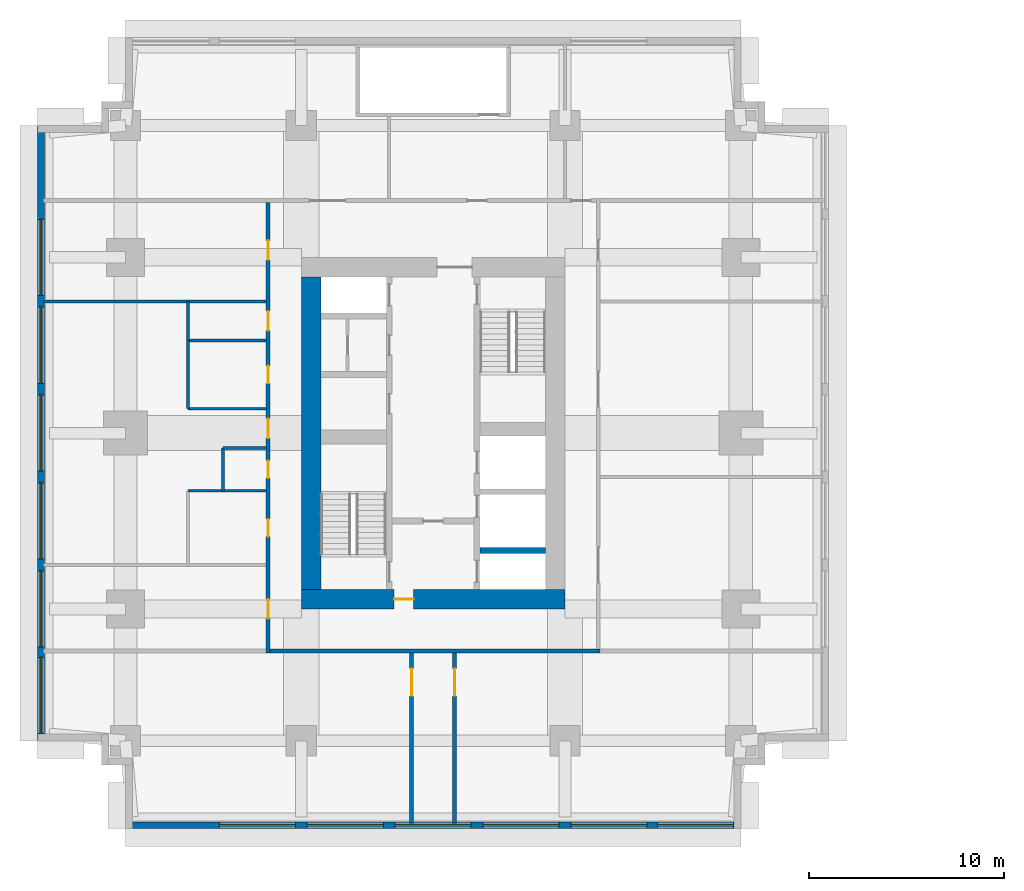
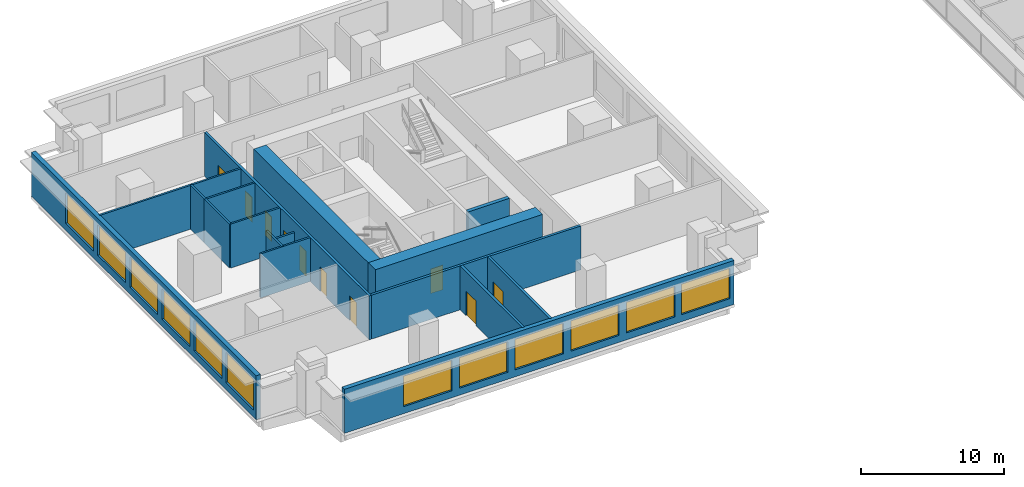
# One storey, part 7 of 14: 17 walls, 12 windows, 10 doors, 22 openings.
"""IFC4 building model written with IfcOpenShell, lengths in metres."""

import ifcopenshell
import ifcopenshell.guid

model = None  # the IFC model being written
_history = None  # IfcOwnerHistory: only IFC2X3 demands one
_inside = {}  # id of a spatial element -> (the spatial element, [elements in it])
_under = {}  # id of a project, library or spatial element -> (it, [spatial elements below it])
_declared = {}  # id of a project -> (the project, [libraries it declares])
_typed = {}  # id of a type object -> (the type object, [elements of that type])
_made_of = {}  # id of a material, layer set ... -> (it, [elements and type objects made of it])


def new_model(schema):
    """Start an empty IFC model of exactly this schema.

    Asked for "IFC4X3", IfcOpenShell would pick the latest addendum, in which some entities
    have other attributes; the version numbers below select the first issue.
    IFC2X3 requires an IfcOwnerHistory on every rooted entity: one is made here for all.
    """
    global model, _history
    if schema == "IFC4X3":
        model = ifcopenshell.file(schema_version=(4, 3, 0, 0))
    else:
        model = ifcopenshell.file(schema=schema)
    _inside.clear()
    _under.clear()
    _declared.clear()
    _typed.clear()
    _made_of.clear()
    _history = None
    if model.schema == "IFC2X3":
        org = make("IfcOrganization", Name="unknown")
        user = make(
            "IfcPersonAndOrganization",
            ThePerson=make("IfcPerson", FamilyName="unknown"),
            TheOrganization=org,
        )
        app = make(
            "IfcApplication",
            ApplicationDeveloper=org,
            Version="unknown",
            ApplicationFullName="unknown",
            ApplicationIdentifier="unknown",
        )
        _history = make(
            "IfcOwnerHistory",
            OwningUser=user,
            OwningApplication=app,
            ChangeAction="ADDED",
            CreationDate=0,
        )
    return model


def make(cls, **values):
    """One entity of the class cls with the attributes given. An attribute that is None is left unset."""
    return model.create_entity(
        cls, **{name: value for name, value in values.items() if value is not None}
    )


def rooted(cls, **values):
    """An entity with a GlobalId (a new one), such as an element, a storey or a relation."""
    return make(cls, GlobalId=ifcopenshell.guid.new(), OwnerHistory=_history, **values)


def si_unit(unit_type, name, prefix=None):
    """IfcSIUnit, for example si_unit("LENGTHUNIT", "METRE", prefix="MILLI")."""
    return make("IfcSIUnit", UnitType=unit_type, Prefix=prefix, Name=name)


def assignment(units):
    """IfcUnitAssignment: the units of a project."""
    return None if units is None else make("IfcUnitAssignment", Units=units)


def point(xyz):
    """IfcCartesianPoint."""
    return None if xyz is None else make("IfcCartesianPoint", Coordinates=xyz)


def direction(xyz):
    """IfcDirection."""
    return None if xyz is None else make("IfcDirection", DirectionRatios=xyz)


def frame(location, z_axis=None, x_axis=None):
    """IfcAxis2Placement3D, a coordinate frame: its origin and axes. An axis left out is left unset."""
    return make(
        "IfcAxis2Placement3D",
        Location=point(location),
        Axis=direction(z_axis),
        RefDirection=direction(x_axis),
    )


def frame_2d(location, x_axis=None):
    """IfcAxis2Placement2D, a coordinate frame in the plane: its origin and x axis."""
    return make(
        "IfcAxis2Placement2D", Location=point(location), RefDirection=direction(x_axis)
    )


def origin():
    """The frame at (0, 0, 0) with its axes left unset."""
    return frame((0.0, 0.0, 0.0))


def place(relative_to, where):
    """IfcLocalPlacement: puts the frame where relative to a parent placement (None: the world)."""
    return make(
        "IfcLocalPlacement", PlacementRelTo=relative_to, RelativePlacement=where
    )


def context(
    kind, dimensions, precision=None, world=None, true_north=None, identifier=None
):
    """IfcGeometricRepresentationContext, for example the 3D "Model" context."""
    return make(
        "IfcGeometricRepresentationContext",
        ContextIdentifier=identifier,
        ContextType=kind,
        CoordinateSpaceDimension=dimensions,
        Precision=precision,
        WorldCoordinateSystem=world,
        TrueNorth=true_north,
    )


def subcontext(parent, identifier, kind, view, scale=None):
    """IfcGeometricRepresentationSubContext, for example "Body" below "Model"."""
    return make(
        "IfcGeometricRepresentationSubContext",
        ContextIdentifier=identifier,
        ContextType=kind,
        ParentContext=parent,
        TargetScale=scale,
        TargetView=view,
    )


def project(units=None, contexts=None):
    """IfcProject with its units and contexts."""
    return rooted(
        "IfcProject",
        Name="project",
        RepresentationContexts=contexts,
        UnitsInContext=assignment(units),
    )


def spatial(cls, under=None, at=None, **own):
    """A site, building, storey or space (cls), placed at a placement, below another one or the project."""
    s = rooted(cls, ObjectPlacement=at, **own)
    if under is not None:
        _under.setdefault(under.id(), (under, []))[1].append(s)
    return s


def profile(cls, at=None, kind="AREA", **sizes):
    """A parametric profile (cls). Its sizes go by their IFC names, for example OverallWidth=200.0."""
    return make(cls, ProfileType=kind, Position=at, **sizes)


def rectangle(**sizes):
    """IfcRectangleProfileDef."""
    return profile("IfcRectangleProfileDef", **sizes)


def extrude(swept, where, along, depth):
    """IfcExtrudedAreaSolid: the profile swept, set in the frame where, extruded along a direction by depth."""
    return make(
        "IfcExtrudedAreaSolid",
        SweptArea=swept,
        Position=where,
        ExtrudedDirection=direction(along),
        Depth=depth,
    )


def shape(context_of_items, identifier, shape_type, items):
    """IfcShapeRepresentation: the items that make up one representation, for example the "Body"."""
    return make(
        "IfcShapeRepresentation",
        ContextOfItems=context_of_items,
        RepresentationIdentifier=identifier,
        RepresentationType=shape_type,
        Items=items,
    )


def material(Name=None, Category=None):
    """IfcMaterial."""
    return make("IfcMaterial", Name=Name, Category=Category)


def layer(
    of_material, thickness, ventilated=None, Name=None, Category=None, Priority=None
):
    """IfcMaterialLayer: one layer of a wall or slab, of a material (None: an air gap)."""
    return make(
        "IfcMaterialLayer",
        Material=of_material,
        LayerThickness=thickness,
        IsVentilated=ventilated,
        Name=Name,
        Category=Category,
        Priority=Priority,
    )


def layer_set(layers, Name=None):
    """IfcMaterialLayerSet."""
    return make("IfcMaterialLayerSet", MaterialLayers=layers, LayerSetName=Name)


def made_of(thing, what):
    """Note that an element or type object is made of a material, layer set ...; save() writes the relation."""
    if what is not None:
        _made_of.setdefault(what.id(), (what, []))[1].append(thing)
    return thing


def type_object(cls, material=None, **own):
    """A type object (cls), such as IfcWallType, which elements share."""
    return made_of(rooted(cls, **own), material)


def element(
    cls,
    number,
    at=None,
    inside=None,
    cuts=None,
    type_object=None,
    material=None,
    context=None,
    identifier="Body",
    shape_type=None,
    held_by="IfcProductDefinitionShape",
    body=None,
    shapes=None,
    **own,
):
    """One element of the class cls, such as IfcWall. Its Tag is "e" and its number.

    at: its placement. inside: the storey or other place that contains it. cuts: it is an
    opening in that element (IfcRelVoidsElement). A single representation is given by context,
    identifier, shape_type and body (its items); several are given by shapes. held_by: the class
    of the entity that holds the representations. save() writes the other relations.
    """
    e = rooted(cls, Tag="e%d" % number, ObjectPlacement=at, **own)
    if body is not None:
        shapes = [shape(context, identifier, shape_type, body)]
    if shapes is not None:
        e.Representation = make(held_by, Representations=shapes)
    if inside is not None:
        _inside.setdefault(inside.id(), (inside, []))[1].append(e)
    if cuts is not None:
        rooted(
            "IfcRelVoidsElement", RelatingBuildingElement=cuts, RelatedOpeningElement=e
        )
    if type_object is not None:
        _typed.setdefault(type_object.id(), (type_object, []))[1].append(e)
    return made_of(e, material)


def fill(opening, filler):
    """IfcRelFillsElement: the door or window that sits in an opening."""
    return rooted(
        "IfcRelFillsElement",
        RelatingOpeningElement=opening,
        RelatedBuildingElement=filler,
    )


def aggregate(whole, parts):
    """IfcRelAggregates: a whole, such as a stair, and the parts it consists of."""
    return rooted("IfcRelAggregates", RelatingObject=whole, RelatedObjects=parts)


def save(model, path):
    """Write the relations noted so far, then the file.

    IfcRelAggregates (storeys below a building ...), IfcRelContainedInSpatialStructure (elements
    in a storey), IfcRelDefinesByType, IfcRelAssociatesMaterial and IfcRelDeclares: one each for
    every whole, place, type object, material and project.
    """
    for whole, parts in _under.values():
        aggregate(whole, parts)
    for where, things in _inside.values():
        rooted(
            "IfcRelContainedInSpatialStructure",
            RelatedElements=things,
            RelatingStructure=where,
        )
    for kind, things in _typed.values():
        rooted("IfcRelDefinesByType", RelatedObjects=things, RelatingType=kind)
    for what, things in _made_of.values():
        rooted("IfcRelAssociatesMaterial", RelatedObjects=things, RelatingMaterial=what)
    for by, libraries in _declared.values():
        rooted("IfcRelDeclares", RelatingContext=by, RelatedDefinitions=libraries)
    model.write(path)


model = new_model("IFC4")

# Units and contexts
model_context = context("Model", 3, precision=1e-05, world=origin(), true_north=direction((0.0, 1.0)))
body_context = subcontext(model_context, "Body", "Model", "MODEL_VIEW")
ifc_project = project(units=[si_unit("LENGTHUNIT", "METRE"), si_unit("AREAUNIT", "SQUARE_METRE"), si_unit("VOLUMEUNIT", "CUBIC_METRE"), si_unit("PLANEANGLEUNIT", "RADIAN"), si_unit("MASSUNIT", "GRAM", prefix="KILO")], contexts=[model_context])

# Site, building, storey
site_placement = place(None, origin())
site = spatial("IfcSite", under=ifc_project, at=site_placement, CompositionType="ELEMENT")
building_placement = place(site_placement, origin())
building = spatial("IfcBuilding", under=site, at=building_placement, Name="Namib Vertical Campus", CompositionType="ELEMENT")
storey_placement = place(building_placement, frame((0.0, 0.0, 233.0)))
storey = spatial("IfcBuildingStorey", under=building, at=storey_placement, Name="L55", CompositionType="ELEMENT", Elevation=233.0)

# Wall
ifc_material_1 = material(Name="Concrete C60/75", Category="concrete")
ifc_layer_1 = layer(ifc_material_1, 0.300048828125)
ifc_layer_set_1 = layer_set([ifc_layer_1], Name="Concrete C60/75")
wall_type_1 = type_object("IfcWallType", Name="Core inner wall 300", PredefinedType="SHEAR", material=ifc_layer_set_1)
wall_1_placement = place(storey_placement, frame((22.64990234375, 14.25, 0.0), z_axis=(0.0, 0.0, 1.0), x_axis=(1.0, 0.0, 0.0)))
element("IfcWall", 1, at=wall_1_placement, inside=storey, type_object=wall_type_1, Name="Core inner wall A L55 W5", PredefinedType="SHEAR", context=body_context, shape_type="SweptSolid", body=[
    extrude(rectangle(XDim=3.35009765625, YDim=0.300048828125, at=frame_2d((1.675048828125, 0.0))), origin(), (0.0, 0.0, 1.0), 4.0),
])

# Wall, opening, door
ifc_material_2 = material(Name="Concrete C60/75", Category="concrete")
ifc_layer_2 = layer(ifc_material_2, 1.0)
ifc_layer_set_2 = layer_set([ifc_layer_2], Name="Concrete C60/75")
wall_type_2 = type_object("IfcWallType", Name="Core wall 1000", PredefinedType="SHEAR", material=ifc_layer_set_2)
wall_2_placement = place(storey_placement, frame((13.5, 11.75, 0.0), z_axis=(0.0, 0.0, 1.0), x_axis=(1.0, 0.0, 0.0)))
wall_2 = element("IfcWall", 2, at=wall_2_placement, inside=storey, type_object=wall_type_2, Name="Core wall A L55 1", PredefinedType="SHEAR", context=body_context, shape_type="SweptSolid", body=[
    extrude(rectangle(XDim=13.5, YDim=1.0, at=frame_2d((6.75, 0.0))), origin(), (0.0, 0.0, 1.0), 4.0),
])
opening_1_placement = place(wall_2_placement, frame((4.75, 0.0, 0.0)))
opening_1 = element("IfcOpeningElement", 3, at=opening_1_placement, cuts=wall_2, Name="Opening FD5", PredefinedType="OPENING", context=body_context, shape_type="SweptSolid", body=[
    extrude(rectangle(XDim=1.0, YDim=2.10009765625, at=frame_2d((0.5, 1.050048828125))), frame((0.0, 0.510009765625, 0.0), z_axis=(0.0, -1.0, 0.0), x_axis=(1.0, 0.0, 0.0)), (0.0, 0.0, 1.0), 1.02001953125),
])
ifc_material_3 = material(Name="Steel fire door", Category="steel")
door_type_1 = type_object("IfcDoorType", Name="Fire door 1000x2100 120 min", OperationType="SINGLE_SWING_RIGHT", PredefinedType="DOOR", material=ifc_material_3)
door_1_placement = place(opening_1_placement, origin())
door_1 = element("IfcDoor", 4, at=door_1_placement, inside=storey, type_object=door_type_1, Name="Firefighting lobby door FD5 A L55", OperationType="SINGLE_SWING_LEFT", OverallHeight=2.10009765625, OverallWidth=1.0, PredefinedType="DOOR", context=body_context, shape_type="SweptSolid", body=[
    extrude(rectangle(XDim=1.0, YDim=2.10009765625, at=frame_2d((0.5, 1.050048828125))), frame((0.0, 0.02490234375, 0.0), z_axis=(0.0, -1.0, 0.0), x_axis=(1.0, 0.0, 0.0)), (0.0, 0.0, 1.0), 0.050048828125),
])
fill(opening_1, door_1)

# Walls
wall_3_placement = place(storey_placement, frame((14.0, 28.25, 0.0), z_axis=(0.0, 0.0, 1.0), x_axis=(0.0, -1.0, 0.0)))
element("IfcWall", 5, at=wall_3_placement, inside=storey, type_object=wall_type_2, Name="Core wall A L55 4", PredefinedType="SHEAR", context=body_context, shape_type="SweptSolid", body=[
    extrude(rectangle(XDim=16.0, YDim=1.0, at=frame_2d((8.0, 0.0))), origin(), (0.0, 0.0, 1.0), 4.0),
])
ifc_material_4 = material(Name="Concrete masonry", Category="masonry")
ifc_layer_3 = layer(ifc_material_4, 0.199951171875)
ifc_layer_set_3 = layer_set([ifc_layer_3], Name="Corridor wall 200")
wall_type_3 = type_object("IfcWallType", Name="Corridor wall 200", PredefinedType="SOLIDWALL", material=ifc_layer_set_3)
wall_4_placement = place(storey_placement, frame((11.89990234375, 9.10009765625, 0.0), z_axis=(0.0, 0.0, 1.0), x_axis=(1.0, 0.0, 0.0)))
element("IfcWall", 6, at=wall_4_placement, inside=storey, type_object=wall_type_3, Name="Corridor wall A L55 CS", PredefinedType="SOLIDWALL", context=body_context, shape_type="SweptSolid", body=[
    extrude(rectangle(XDim=16.900146484375, YDim=0.199951171875, at=frame_2d((8.4501953125, 0.0))), origin(), (0.0, 0.0, 1.0), 3.75),
])

# Wall, openings, doors
wall_5_placement = place(storey_placement, frame((11.800048828125, 32.050048828125, 0.0), z_axis=(0.0, 0.0, 1.0), x_axis=(0.0, -1.0, 0.0)))
wall_5 = element("IfcWall", 7, at=wall_5_placement, inside=storey, type_object=wall_type_3, Name="Corridor wall A L55 CW", PredefinedType="SOLIDWALL", context=body_context, shape_type="SweptSolid", body=[
    extrude(rectangle(XDim=23.050048828125, YDim=0.199951171875, at=frame_2d((11.52490234375, 0.0))), origin(), (0.0, 0.0, 1.0), 3.75),
])
opening_2_placement = place(wall_5_placement, frame((20.300048828125, 0.0, 0.0)))
opening_2 = element("IfcOpeningElement", 8, at=opening_2_placement, cuts=wall_5, Name="Opening CD1", PredefinedType="OPENING", context=body_context, shape_type="SweptSolid", body=[
    extrude(rectangle(XDim=1.0, YDim=2.10009765625, at=frame_2d((0.5, 1.050048828125))), frame((0.0, 0.10986328125, 0.0), z_axis=(0.0, -1.0, 0.0), x_axis=(1.0, 0.0, 0.0)), (0.0, 0.0, 1.0), 0.219970703125),
])
opening_3_placement = place(wall_5_placement, frame((16.199951171875, 0.0, 0.0)))
opening_3 = element("IfcOpeningElement", 9, at=opening_3_placement, cuts=wall_5, Name="Opening CD3", PredefinedType="OPENING", context=body_context, shape_type="SweptSolid", body=[
    extrude(rectangle(XDim=0.89990234375, YDim=2.10009765625, at=frame_2d((0.449951171875, 1.050048828125))), frame((0.0, 0.10986328125, 0.0), z_axis=(0.0, -1.0, 0.0), x_axis=(1.0, 0.0, 0.0)), (0.0, 0.0, 1.0), 0.219970703125),
])
opening_4_placement = place(wall_5_placement, frame((13.199951171875, 0.0, 0.0)))
opening_4 = element("IfcOpeningElement", 10, at=opening_4_placement, cuts=wall_5, Name="Opening CD3", PredefinedType="OPENING", context=body_context, shape_type="SweptSolid", body=[
    extrude(rectangle(XDim=0.89990234375, YDim=2.10009765625, at=frame_2d((0.449951171875, 1.050048828125))), frame((0.0, 0.10986328125, 0.0), z_axis=(0.0, -1.0, 0.0), x_axis=(1.0, 0.0, 0.0)), (0.0, 0.0, 1.0), 0.219970703125),
])
opening_5_placement = place(wall_5_placement, frame((8.35009765625, 0.0, 0.0)))
opening_5 = element("IfcOpeningElement", 11, at=opening_5_placement, cuts=wall_5, Name="Opening CD3", PredefinedType="OPENING", context=body_context, shape_type="SweptSolid", body=[
    extrude(rectangle(XDim=0.89990234375, YDim=2.10009765625, at=frame_2d((0.449951171875, 1.050048828125))), frame((0.0, 0.10986328125, 0.0), z_axis=(0.0, -1.0, 0.0), x_axis=(1.0, 0.0, 0.0)), (0.0, 0.0, 1.0), 0.219970703125),
])
opening_6_placement = place(wall_5_placement, frame((5.550048828125, 0.0, 0.0)))
opening_6 = element("IfcOpeningElement", 12, at=opening_6_placement, cuts=wall_5, Name="Opening CD1", PredefinedType="OPENING", context=body_context, shape_type="SweptSolid", body=[
    extrude(rectangle(XDim=1.0, YDim=2.10009765625, at=frame_2d((0.5, 1.050048828125))), frame((0.0, 0.10986328125, 0.0), z_axis=(0.0, -1.0, 0.0), x_axis=(1.0, 0.0, 0.0)), (0.0, 0.0, 1.0), 0.219970703125),
])
opening_7_placement = place(wall_5_placement, frame((11.050048828125, 0.0, 0.0)))
opening_7 = element("IfcOpeningElement", 13, at=opening_7_placement, cuts=wall_5, Name="Opening CD1", PredefinedType="OPENING", context=body_context, shape_type="SweptSolid", body=[
    extrude(rectangle(XDim=1.0, YDim=2.10009765625, at=frame_2d((0.5, 1.050048828125))), frame((0.0, 0.10986328125, 0.0), z_axis=(0.0, -1.0, 0.0), x_axis=(1.0, 0.0, 0.0)), (0.0, 0.0, 1.0), 0.219970703125),
])
opening_8_placement = place(wall_5_placement, frame((1.925048828125, 0.0, 0.0)))
opening_8 = element("IfcOpeningElement", 14, at=opening_8_placement, cuts=wall_5, Name="Opening CD1", PredefinedType="OPENING", context=body_context, shape_type="SweptSolid", body=[
    extrude(rectangle(XDim=1.0, YDim=2.10009765625, at=frame_2d((0.5, 1.050048828125))), frame((0.0, 0.10986328125, 0.0), z_axis=(0.0, -1.0, 0.0), x_axis=(1.0, 0.0, 0.0)), (0.0, 0.0, 1.0), 0.219970703125),
])
ifc_material_5 = material(Name="Timber fire door leaf", Category="wood")
door_type_2 = type_object("IfcDoorType", Name="Corridor door 1000x2100 20 min", OperationType="SINGLE_SWING_LEFT", PredefinedType="DOOR", material=ifc_material_5)
door_2_placement = place(opening_2_placement, frame((1.0, 0.0, 0.0), z_axis=(0.0, 0.0, 1.0), x_axis=(-1.0, 0.0, 0.0)))
door_2 = element("IfcDoor", 15, at=door_2_placement, inside=storey, type_object=door_type_2, Name="Door CD1 A55-09", OperationType="SINGLE_SWING_RIGHT", OverallHeight=2.10009765625, OverallWidth=1.0, PredefinedType="DOOR", context=body_context, shape_type="SweptSolid", body=[
    extrude(rectangle(XDim=1.0, YDim=2.10009765625, at=frame_2d((0.5, 1.050048828125))), frame((0.0, 0.02490234375, 0.0), z_axis=(0.0, -1.0, 0.0), x_axis=(1.0, 0.0, 0.0)), (0.0, 0.0, 1.0), 0.050048828125),
])
fill(opening_2, door_2)
door_3_placement = place(opening_6_placement, frame((1.0, 0.0, 0.0), z_axis=(0.0, 0.0, 1.0), x_axis=(-1.0, 0.0, 0.0)))
door_3 = element("IfcDoor", 16, at=door_3_placement, inside=storey, type_object=door_type_2, Name="Door CD1 A55-13", OperationType="SINGLE_SWING_RIGHT", OverallHeight=2.10009765625, OverallWidth=1.0, PredefinedType="DOOR", context=body_context, shape_type="SweptSolid", body=[
    extrude(rectangle(XDim=1.0, YDim=2.10009765625, at=frame_2d((0.5, 1.050048828125))), frame((0.0, 0.02490234375, 0.0), z_axis=(0.0, -1.0, 0.0), x_axis=(1.0, 0.0, 0.0)), (0.0, 0.0, 1.0), 0.050048828125),
])
fill(opening_6, door_3)
door_4_placement = place(opening_7_placement, frame((1.0, 0.0, 0.0), z_axis=(0.0, 0.0, 1.0), x_axis=(-1.0, 0.0, 0.0)))
door_4 = element("IfcDoor", 17, at=door_4_placement, inside=storey, type_object=door_type_2, Name="Door CD1 A55-14", OperationType="SINGLE_SWING_RIGHT", OverallHeight=2.10009765625, OverallWidth=1.0, PredefinedType="DOOR", context=body_context, shape_type="SweptSolid", body=[
    extrude(rectangle(XDim=1.0, YDim=2.10009765625, at=frame_2d((0.5, 1.050048828125))), frame((0.0, 0.02490234375, 0.0), z_axis=(0.0, -1.0, 0.0), x_axis=(1.0, 0.0, 0.0)), (0.0, 0.0, 1.0), 0.050048828125),
])
fill(opening_7, door_4)
door_5_placement = place(opening_8_placement, frame((1.0, 0.0, 0.0), z_axis=(0.0, 0.0, 1.0), x_axis=(-1.0, 0.0, 0.0)))
door_5 = element("IfcDoor", 18, at=door_5_placement, inside=storey, type_object=door_type_2, Name="Door CD1 A55-15", OperationType="SINGLE_SWING_RIGHT", OverallHeight=2.10009765625, OverallWidth=1.0, PredefinedType="DOOR", context=body_context, shape_type="SweptSolid", body=[
    extrude(rectangle(XDim=1.0, YDim=2.10009765625, at=frame_2d((0.5, 1.050048828125))), frame((0.0, 0.02490234375, 0.0), z_axis=(0.0, -1.0, 0.0), x_axis=(1.0, 0.0, 0.0)), (0.0, 0.0, 1.0), 0.050048828125),
])
fill(opening_8, door_5)
ifc_material_6 = material(Name="Timber fire door leaf", Category="wood")
door_type_3 = type_object("IfcDoorType", Name="Corridor toilet door 900x2100 20 min", OperationType="SINGLE_SWING_LEFT", PredefinedType="DOOR", material=ifc_material_6)
door_6_placement = place(opening_3_placement, frame((0.89990234375, 0.0, 0.0), z_axis=(0.0, 0.0, 1.0), x_axis=(-1.0, 0.0, 0.0)))
door_6 = element("IfcDoor", 19, at=door_6_placement, inside=storey, type_object=door_type_3, Name="Door CD3 A55-10", OperationType="SINGLE_SWING_RIGHT", OverallHeight=2.10009765625, OverallWidth=0.89990234375, PredefinedType="DOOR", context=body_context, shape_type="SweptSolid", body=[
    extrude(rectangle(XDim=0.89990234375, YDim=2.10009765625, at=frame_2d((0.449951171875, 1.050048828125))), frame((0.0, 0.02490234375, 0.0), z_axis=(0.0, -1.0, 0.0), x_axis=(1.0, 0.0, 0.0)), (0.0, 0.0, 1.0), 0.050048828125),
])
fill(opening_3, door_6)
door_7_placement = place(opening_4_placement, frame((0.89990234375, 0.0, 0.0), z_axis=(0.0, 0.0, 1.0), x_axis=(-1.0, 0.0, 0.0)))
door_7 = element("IfcDoor", 20, at=door_7_placement, inside=storey, type_object=door_type_3, Name="Door CD3 A55-11", OperationType="SINGLE_SWING_RIGHT", OverallHeight=2.10009765625, OverallWidth=0.89990234375, PredefinedType="DOOR", context=body_context, shape_type="SweptSolid", body=[
    extrude(rectangle(XDim=0.89990234375, YDim=2.10009765625, at=frame_2d((0.449951171875, 1.050048828125))), frame((0.0, 0.02490234375, 0.0), z_axis=(0.0, -1.0, 0.0), x_axis=(1.0, 0.0, 0.0)), (0.0, 0.0, 1.0), 0.050048828125),
])
fill(opening_4, door_7)
door_8_placement = place(opening_5_placement, frame((0.89990234375, 0.0, 0.0), z_axis=(0.0, 0.0, 1.0), x_axis=(-1.0, 0.0, 0.0)))
door_8 = element("IfcDoor", 21, at=door_8_placement, inside=storey, type_object=door_type_3, Name="Door CD3 A55-12", OperationType="SINGLE_SWING_RIGHT", OverallHeight=2.10009765625, OverallWidth=0.89990234375, PredefinedType="DOOR", context=body_context, shape_type="SweptSolid", body=[
    extrude(rectangle(XDim=0.89990234375, YDim=2.10009765625, at=frame_2d((0.449951171875, 1.050048828125))), frame((0.0, 0.02490234375, 0.0), z_axis=(0.0, -1.0, 0.0), x_axis=(1.0, 0.0, 0.0)), (0.0, 0.0, 1.0), 0.050048828125),
])
fill(opening_5, door_8)

# Wall, opening, door
wall_6_placement = place(storey_placement, frame((19.14990234375, 0.300048828125, 0.0), z_axis=(0.0, 0.0, 1.0), x_axis=(0.0, 1.0, 0.0)))
wall_6 = element("IfcWall", 22, at=wall_6_placement, inside=storey, type_object=wall_type_3, Name="Corridor wall A L55 SPS1", PredefinedType="SOLIDWALL", context=body_context, shape_type="SweptSolid", body=[
    extrude(rectangle(XDim=8.699951171875, YDim=0.199951171875, at=frame_2d((4.35009765625, 0.0))), origin(), (0.0, 0.0, 1.0), 3.75),
])
opening_9_placement = place(wall_6_placement, frame((6.5, 0.0, 0.0)))
opening_9 = element("IfcOpeningElement", 23, at=opening_9_placement, cuts=wall_6, Name="Opening LB1", PredefinedType="OPENING", context=body_context, shape_type="SweptSolid", body=[
    extrude(rectangle(XDim=1.39990234375, YDim=2.10009765625, at=frame_2d((0.699951171875, 1.050048828125))), frame((0.0, 0.10986328125, 0.0), z_axis=(0.0, -1.0, 0.0), x_axis=(1.0, 0.0, 0.0)), (0.0, 0.0, 1.0), 0.219970703125),
])
ifc_material_7 = material(Name="Timber fire door leaf", Category="wood")
door_type_4 = type_object("IfcDoorType", Name="Laboratory door 1400x2100 leaf and a half", OperationType="DOUBLE_DOOR_SINGLE_SWING", PredefinedType="DOOR", material=ifc_material_7)
door_9_placement = place(opening_9_placement, origin())
door_9 = element("IfcDoor", 24, at=door_9_placement, inside=storey, type_object=door_type_4, Name="Door LB1 A55-01", OperationType="DOUBLE_DOOR_SINGLE_SWING", OverallHeight=2.10009765625, OverallWidth=1.39990234375, PredefinedType="DOOR", context=body_context, shape_type="SweptSolid", body=[
    extrude(rectangle(XDim=1.39990234375, YDim=2.10009765625, at=frame_2d((0.699951171875, 1.050048828125))), frame((0.0, 0.02490234375, 0.0), z_axis=(0.0, -1.0, 0.0), x_axis=(1.0, 0.0, 0.0)), (0.0, 0.0, 1.0), 0.050048828125),
])
fill(opening_9, door_9)

wall_7_placement = place(storey_placement, frame((21.35009765625, 9.0, 0.0), z_axis=(0.0, 0.0, 1.0), x_axis=(0.0, -1.0, 0.0)))
wall_7 = element("IfcWall", 25, at=wall_7_placement, inside=storey, type_object=wall_type_3, Name="Corridor wall A L55 SPS2", PredefinedType="SOLIDWALL", context=body_context, shape_type="SweptSolid", body=[
    extrude(rectangle(XDim=8.699951171875, YDim=0.199951171875, at=frame_2d((4.35009765625, 0.0))), origin(), (0.0, 0.0, 1.0), 3.75),
])
opening_10_placement = place(wall_7_placement, frame((0.800048828125, 0.0, 0.0)))
opening_10 = element("IfcOpeningElement", 26, at=opening_10_placement, cuts=wall_7, Name="Opening LB1", PredefinedType="OPENING", context=body_context, shape_type="SweptSolid", body=[
    extrude(rectangle(XDim=1.39990234375, YDim=2.10009765625, at=frame_2d((0.699951171875, 1.050048828125))), frame((0.0, 0.10986328125, 0.0), z_axis=(0.0, -1.0, 0.0), x_axis=(1.0, 0.0, 0.0)), (0.0, 0.0, 1.0), 0.219970703125),
])
door_10_placement = place(opening_10_placement, origin())
door_10 = element("IfcDoor", 27, at=door_10_placement, inside=storey, type_object=door_type_4, Name="Door LB1 A55-02", OperationType="DOUBLE_DOOR_SINGLE_SWING", OverallHeight=2.10009765625, OverallWidth=1.39990234375, PredefinedType="DOOR", context=body_context, shape_type="SweptSolid", body=[
    extrude(rectangle(XDim=1.39990234375, YDim=2.10009765625, at=frame_2d((0.699951171875, 1.050048828125))), frame((0.0, 0.02490234375, 0.0), z_axis=(0.0, -1.0, 0.0), x_axis=(1.0, 0.0, 0.0)), (0.0, 0.0, 1.0), 0.050048828125),
])
fill(opening_10, door_10)

# Wall, openings, windows
ifc_material_8 = material(Name="Concrete C40/50", Category="concrete")
ifc_layer_4 = layer(ifc_material_8, 0.35009765625)
ifc_layer_set_4 = layer_set([ifc_layer_4], Name="Concrete C40/50")
wall_type_4 = type_object("IfcWallType", Name="External wall 350 bush-hammered concrete", PredefinedType="STANDARD", material=ifc_layer_set_4)
wall_8_placement = place(storey_placement, frame((4.52001953125, 0.175048828125, 0.0), z_axis=(0.0, 0.0, 1.0), x_axis=(1.0, 0.0, 0.0)))
wall_8 = element("IfcWall", 28, at=wall_8_placement, inside=storey, type_object=wall_type_4, Name="External wall L55 F01", PredefinedType="STANDARD", context=body_context, shape_type="SweptSolid", body=[
    extrude(rectangle(XDim=31.4599609375, YDim=0.35009765625, at=frame_2d((15.72998046875, 0.0))), origin(), (0.0, 0.0, 1.0), 3.75),
])
opening_11_placement = place(wall_8_placement, frame((4.780029296875, 0.0, 0.60009765625)))
opening_11 = element("IfcOpeningElement", 29, at=opening_11_placement, cuts=wall_8, Name="Opening W2", PredefinedType="OPENING", context=body_context, shape_type="SweptSolid", body=[
    extrude(rectangle(XDim=3.89990234375, YDim=2.60009765625, at=frame_2d((1.949951171875, 1.300048828125))), frame((0.0, 0.18505859375, 0.0), z_axis=(0.0, -1.0, 0.0), x_axis=(1.0, 0.0, 0.0)), (0.0, 0.0, 1.0), 0.3701171875),
])
opening_12_placement = place(wall_8_placement, frame((9.280029296875, 0.0, 0.60009765625)))
opening_12 = element("IfcOpeningElement", 30, at=opening_12_placement, cuts=wall_8, Name="Opening W2", PredefinedType="OPENING", context=body_context, shape_type="SweptSolid", body=[
    extrude(rectangle(XDim=3.89990234375, YDim=2.60009765625, at=frame_2d((1.949951171875, 1.300048828125))), frame((0.0, 0.18505859375, 0.0), z_axis=(0.0, -1.0, 0.0), x_axis=(1.0, 0.0, 0.0)), (0.0, 0.0, 1.0), 0.3701171875),
])
opening_13_placement = place(wall_8_placement, frame((13.780029296875, 0.0, 0.60009765625)))
opening_13 = element("IfcOpeningElement", 31, at=opening_13_placement, cuts=wall_8, Name="Opening W2", PredefinedType="OPENING", context=body_context, shape_type="SweptSolid", body=[
    extrude(rectangle(XDim=3.89990234375, YDim=2.60009765625, at=frame_2d((1.949951171875, 1.300048828125))), frame((0.0, 0.18505859375, 0.0), z_axis=(0.0, -1.0, 0.0), x_axis=(1.0, 0.0, 0.0)), (0.0, 0.0, 1.0), 0.3701171875),
])
opening_14_placement = place(wall_8_placement, frame((18.280029296875, 0.0, 0.60009765625)))
opening_14 = element("IfcOpeningElement", 32, at=opening_14_placement, cuts=wall_8, Name="Opening W2", PredefinedType="OPENING", context=body_context, shape_type="SweptSolid", body=[
    extrude(rectangle(XDim=3.89990234375, YDim=2.60009765625, at=frame_2d((1.949951171875, 1.300048828125))), frame((0.0, 0.18505859375, 0.0), z_axis=(0.0, -1.0, 0.0), x_axis=(1.0, 0.0, 0.0)), (0.0, 0.0, 1.0), 0.3701171875),
])
opening_15_placement = place(wall_8_placement, frame((22.780029296875, 0.0, 0.60009765625)))
opening_15 = element("IfcOpeningElement", 33, at=opening_15_placement, cuts=wall_8, Name="Opening W2", PredefinedType="OPENING", context=body_context, shape_type="SweptSolid", body=[
    extrude(rectangle(XDim=3.89990234375, YDim=2.60009765625, at=frame_2d((1.949951171875, 1.300048828125))), frame((0.0, 0.18505859375, 0.0), z_axis=(0.0, -1.0, 0.0), x_axis=(1.0, 0.0, 0.0)), (0.0, 0.0, 1.0), 0.3701171875),
])
opening_16_placement = place(wall_8_placement, frame((27.2099609375, 0.0, 0.60009765625)))
opening_16 = element("IfcOpeningElement", 34, at=opening_16_placement, cuts=wall_8, Name="Opening W2", PredefinedType="OPENING", context=body_context, shape_type="SweptSolid", body=[
    extrude(rectangle(XDim=3.89990234375, YDim=2.60009765625, at=frame_2d((1.949951171875, 1.300048828125))), frame((0.0, 0.18505859375, 0.0), z_axis=(0.0, -1.0, 0.0), x_axis=(1.0, 0.0, 0.0)), (0.0, 0.0, 1.0), 0.3701171875),
])
ifc_material_9 = material(Name="Dark tinted glass in black aluminium frame", Category="aluminium")
window_type = type_object("IfcWindowType", Name="Ribbon window 3900x2600", PartitioningType="SINGLE_PANEL", PredefinedType="WINDOW", material=ifc_material_9)
window_1_placement = place(opening_11_placement, origin())
window_1 = element("IfcWindow", 35, at=window_1_placement, inside=storey, type_object=window_type, Name="Window W2 L55 F01-2", OverallHeight=2.60009765625, OverallWidth=3.89990234375, PartitioningType="SINGLE_PANEL", PredefinedType="WINDOW", context=body_context, shape_type="SweptSolid", body=[
    extrude(rectangle(XDim=3.89990234375, YDim=2.60009765625, at=frame_2d((1.949951171875, 1.300048828125))), frame((0.0, 0.030029296875, 0.0), z_axis=(0.0, -1.0, 0.0), x_axis=(1.0, 0.0, 0.0)), (0.0, 0.0, 1.0), 0.06005859375),
])
fill(opening_11, window_1)
window_2_placement = place(opening_12_placement, origin())
window_2 = element("IfcWindow", 36, at=window_2_placement, inside=storey, type_object=window_type, Name="Window W2 L55 F01-3", OverallHeight=2.60009765625, OverallWidth=3.89990234375, PartitioningType="SINGLE_PANEL", PredefinedType="WINDOW", context=body_context, shape_type="SweptSolid", body=[
    extrude(rectangle(XDim=3.89990234375, YDim=2.60009765625, at=frame_2d((1.949951171875, 1.300048828125))), frame((0.0, 0.030029296875, 0.0), z_axis=(0.0, -1.0, 0.0), x_axis=(1.0, 0.0, 0.0)), (0.0, 0.0, 1.0), 0.06005859375),
])
fill(opening_12, window_2)
window_3_placement = place(opening_13_placement, origin())
window_3 = element("IfcWindow", 37, at=window_3_placement, inside=storey, type_object=window_type, Name="Window W2 L55 F01-4", OverallHeight=2.60009765625, OverallWidth=3.89990234375, PartitioningType="SINGLE_PANEL", PredefinedType="WINDOW", context=body_context, shape_type="SweptSolid", body=[
    extrude(rectangle(XDim=3.89990234375, YDim=2.60009765625, at=frame_2d((1.949951171875, 1.300048828125))), frame((0.0, 0.030029296875, 0.0), z_axis=(0.0, -1.0, 0.0), x_axis=(1.0, 0.0, 0.0)), (0.0, 0.0, 1.0), 0.06005859375),
])
fill(opening_13, window_3)
window_4_placement = place(opening_14_placement, origin())
window_4 = element("IfcWindow", 38, at=window_4_placement, inside=storey, type_object=window_type, Name="Window W2 L55 F01-5", OverallHeight=2.60009765625, OverallWidth=3.89990234375, PartitioningType="SINGLE_PANEL", PredefinedType="WINDOW", context=body_context, shape_type="SweptSolid", body=[
    extrude(rectangle(XDim=3.89990234375, YDim=2.60009765625, at=frame_2d((1.949951171875, 1.300048828125))), frame((0.0, 0.030029296875, 0.0), z_axis=(0.0, -1.0, 0.0), x_axis=(1.0, 0.0, 0.0)), (0.0, 0.0, 1.0), 0.06005859375),
])
fill(opening_14, window_4)
window_5_placement = place(opening_15_placement, origin())
window_5 = element("IfcWindow", 39, at=window_5_placement, inside=storey, type_object=window_type, Name="Window W2 L55 F01-6", OverallHeight=2.60009765625, OverallWidth=3.89990234375, PartitioningType="SINGLE_PANEL", PredefinedType="WINDOW", context=body_context, shape_type="SweptSolid", body=[
    extrude(rectangle(XDim=3.89990234375, YDim=2.60009765625, at=frame_2d((1.949951171875, 1.300048828125))), frame((0.0, 0.030029296875, 0.0), z_axis=(0.0, -1.0, 0.0), x_axis=(1.0, 0.0, 0.0)), (0.0, 0.0, 1.0), 0.06005859375),
])
fill(opening_15, window_5)
window_6_placement = place(opening_16_placement, origin())
window_6 = element("IfcWindow", 40, at=window_6_placement, inside=storey, type_object=window_type, Name="Window W2 L55 F01-7", OverallHeight=2.60009765625, OverallWidth=3.89990234375, PartitioningType="SINGLE_PANEL", PredefinedType="WINDOW", context=body_context, shape_type="SweptSolid", body=[
    extrude(rectangle(XDim=3.89990234375, YDim=2.60009765625, at=frame_2d((1.949951171875, 1.300048828125))), frame((0.0, 0.030029296875, 0.0), z_axis=(0.0, -1.0, 0.0), x_axis=(1.0, 0.0, 0.0)), (0.0, 0.0, 1.0), 0.06005859375),
])
fill(opening_16, window_6)

wall_9_placement = place(storey_placement, frame((0.175048828125, 35.97998046875, 0.0), z_axis=(0.0, 0.0, 1.0), x_axis=(0.0, -1.0, 0.0)))
wall_9 = element("IfcWall", 41, at=wall_9_placement, inside=storey, type_object=wall_type_4, Name="External wall L55 F16", PredefinedType="STANDARD", context=body_context, shape_type="SweptSolid", body=[
    extrude(rectangle(XDim=31.4599609375, YDim=0.35009765625, at=frame_2d((15.72998046875, 0.0))), origin(), (0.0, 0.0, 1.0), 3.75),
])
opening_17_placement = place(wall_9_placement, frame((27.2099609375, 0.0, 0.60009765625)))
opening_17 = element("IfcOpeningElement", 42, at=opening_17_placement, cuts=wall_9, Name="Opening W2", PredefinedType="OPENING", context=body_context, shape_type="SweptSolid", body=[
    extrude(rectangle(XDim=3.89990234375, YDim=2.60009765625, at=frame_2d((1.949951171875, 1.300048828125))), frame((0.0, 0.18505859375, 0.0), z_axis=(0.0, -1.0, 0.0), x_axis=(1.0, 0.0, 0.0)), (0.0, 0.0, 1.0), 0.3701171875),
])
opening_18_placement = place(wall_9_placement, frame((22.780029296875, 0.0, 0.60009765625)))
opening_18 = element("IfcOpeningElement", 43, at=opening_18_placement, cuts=wall_9, Name="Opening W2", PredefinedType="OPENING", context=body_context, shape_type="SweptSolid", body=[
    extrude(rectangle(XDim=3.89990234375, YDim=2.60009765625, at=frame_2d((1.949951171875, 1.300048828125))), frame((0.0, 0.18505859375, 0.0), z_axis=(0.0, -1.0, 0.0), x_axis=(1.0, 0.0, 0.0)), (0.0, 0.0, 1.0), 0.3701171875),
])
opening_19_placement = place(wall_9_placement, frame((18.280029296875, 0.0, 0.60009765625)))
opening_19 = element("IfcOpeningElement", 44, at=opening_19_placement, cuts=wall_9, Name="Opening W2", PredefinedType="OPENING", context=body_context, shape_type="SweptSolid", body=[
    extrude(rectangle(XDim=3.89990234375, YDim=2.60009765625, at=frame_2d((1.949951171875, 1.300048828125))), frame((0.0, 0.18505859375, 0.0), z_axis=(0.0, -1.0, 0.0), x_axis=(1.0, 0.0, 0.0)), (0.0, 0.0, 1.0), 0.3701171875),
])
opening_20_placement = place(wall_9_placement, frame((13.780029296875, 0.0, 0.60009765625)))
opening_20 = element("IfcOpeningElement", 45, at=opening_20_placement, cuts=wall_9, Name="Opening W2", PredefinedType="OPENING", context=body_context, shape_type="SweptSolid", body=[
    extrude(rectangle(XDim=3.89990234375, YDim=2.60009765625, at=frame_2d((1.949951171875, 1.300048828125))), frame((0.0, 0.18505859375, 0.0), z_axis=(0.0, -1.0, 0.0), x_axis=(1.0, 0.0, 0.0)), (0.0, 0.0, 1.0), 0.3701171875),
])
opening_21_placement = place(wall_9_placement, frame((9.280029296875, 0.0, 0.60009765625)))
opening_21 = element("IfcOpeningElement", 46, at=opening_21_placement, cuts=wall_9, Name="Opening W2", PredefinedType="OPENING", context=body_context, shape_type="SweptSolid", body=[
    extrude(rectangle(XDim=3.89990234375, YDim=2.60009765625, at=frame_2d((1.949951171875, 1.300048828125))), frame((0.0, 0.18505859375, 0.0), z_axis=(0.0, -1.0, 0.0), x_axis=(1.0, 0.0, 0.0)), (0.0, 0.0, 1.0), 0.3701171875),
])
opening_22_placement = place(wall_9_placement, frame((4.780029296875, 0.0, 0.60009765625)))
opening_22 = element("IfcOpeningElement", 47, at=opening_22_placement, cuts=wall_9, Name="Opening W2", PredefinedType="OPENING", context=body_context, shape_type="SweptSolid", body=[
    extrude(rectangle(XDim=3.89990234375, YDim=2.60009765625, at=frame_2d((1.949951171875, 1.300048828125))), frame((0.0, 0.18505859375, 0.0), z_axis=(0.0, -1.0, 0.0), x_axis=(1.0, 0.0, 0.0)), (0.0, 0.0, 1.0), 0.3701171875),
])
window_7_placement = place(opening_17_placement, origin())
window_7 = element("IfcWindow", 48, at=window_7_placement, inside=storey, type_object=window_type, Name="Window W2 L55 F16-1", OverallHeight=2.60009765625, OverallWidth=3.89990234375, PartitioningType="SINGLE_PANEL", PredefinedType="WINDOW", context=body_context, shape_type="SweptSolid", body=[
    extrude(rectangle(XDim=3.89990234375, YDim=2.60009765625, at=frame_2d((1.949951171875, 1.300048828125))), frame((0.0, 0.030029296875, 0.0), z_axis=(0.0, -1.0, 0.0), x_axis=(1.0, 0.0, 0.0)), (0.0, 0.0, 1.0), 0.06005859375),
])
fill(opening_17, window_7)
window_8_placement = place(opening_18_placement, origin())
window_8 = element("IfcWindow", 49, at=window_8_placement, inside=storey, type_object=window_type, Name="Window W2 L55 F16-2", OverallHeight=2.60009765625, OverallWidth=3.89990234375, PartitioningType="SINGLE_PANEL", PredefinedType="WINDOW", context=body_context, shape_type="SweptSolid", body=[
    extrude(rectangle(XDim=3.89990234375, YDim=2.60009765625, at=frame_2d((1.949951171875, 1.300048828125))), frame((0.0, 0.030029296875, 0.0), z_axis=(0.0, -1.0, 0.0), x_axis=(1.0, 0.0, 0.0)), (0.0, 0.0, 1.0), 0.06005859375),
])
fill(opening_18, window_8)
window_9_placement = place(opening_19_placement, origin())
window_9 = element("IfcWindow", 50, at=window_9_placement, inside=storey, type_object=window_type, Name="Window W2 L55 F16-3", OverallHeight=2.60009765625, OverallWidth=3.89990234375, PartitioningType="SINGLE_PANEL", PredefinedType="WINDOW", context=body_context, shape_type="SweptSolid", body=[
    extrude(rectangle(XDim=3.89990234375, YDim=2.60009765625, at=frame_2d((1.949951171875, 1.300048828125))), frame((0.0, 0.030029296875, 0.0), z_axis=(0.0, -1.0, 0.0), x_axis=(1.0, 0.0, 0.0)), (0.0, 0.0, 1.0), 0.06005859375),
])
fill(opening_19, window_9)
window_10_placement = place(opening_20_placement, origin())
window_10 = element("IfcWindow", 51, at=window_10_placement, inside=storey, type_object=window_type, Name="Window W2 L55 F16-4", OverallHeight=2.60009765625, OverallWidth=3.89990234375, PartitioningType="SINGLE_PANEL", PredefinedType="WINDOW", context=body_context, shape_type="SweptSolid", body=[
    extrude(rectangle(XDim=3.89990234375, YDim=2.60009765625, at=frame_2d((1.949951171875, 1.300048828125))), frame((0.0, 0.030029296875, 0.0), z_axis=(0.0, -1.0, 0.0), x_axis=(1.0, 0.0, 0.0)), (0.0, 0.0, 1.0), 0.06005859375),
])
fill(opening_20, window_10)
window_11_placement = place(opening_21_placement, origin())
window_11 = element("IfcWindow", 52, at=window_11_placement, inside=storey, type_object=window_type, Name="Window W2 L55 F16-5", OverallHeight=2.60009765625, OverallWidth=3.89990234375, PartitioningType="SINGLE_PANEL", PredefinedType="WINDOW", context=body_context, shape_type="SweptSolid", body=[
    extrude(rectangle(XDim=3.89990234375, YDim=2.60009765625, at=frame_2d((1.949951171875, 1.300048828125))), frame((0.0, 0.030029296875, 0.0), z_axis=(0.0, -1.0, 0.0), x_axis=(1.0, 0.0, 0.0)), (0.0, 0.0, 1.0), 0.06005859375),
])
fill(opening_21, window_11)
window_12_placement = place(opening_22_placement, origin())
window_12 = element("IfcWindow", 53, at=window_12_placement, inside=storey, type_object=window_type, Name="Window W2 L55 F16-6", OverallHeight=2.60009765625, OverallWidth=3.89990234375, PartitioningType="SINGLE_PANEL", PredefinedType="WINDOW", context=body_context, shape_type="SweptSolid", body=[
    extrude(rectangle(XDim=3.89990234375, YDim=2.60009765625, at=frame_2d((1.949951171875, 1.300048828125))), frame((0.0, 0.030029296875, 0.0), z_axis=(0.0, -1.0, 0.0), x_axis=(1.0, 0.0, 0.0)), (0.0, 0.0, 1.0), 0.06005859375),
])
fill(opening_22, window_12)

# Walls
ifc_material_10 = material(Name="Gypsum board on steel studs", Category="steel")
ifc_layer_5 = layer(ifc_material_10, 0.14990234375)
ifc_layer_set_5 = layer_set([ifc_layer_5], Name="Gypsum board on steel studs")
wall_type_5 = type_object("IfcWallType", Name="Partition 150", PredefinedType="PARTITIONING", material=ifc_layer_set_5)
wall_10_placement = place(storey_placement, frame((0.300048828125, 27.0, 0.0), z_axis=(0.0, 0.0, 1.0), x_axis=(1.0, 0.0, 0.0)))
element("IfcWall", 54, at=wall_10_placement, inside=storey, type_object=wall_type_5, Name="Partition A L55 PW2", PredefinedType="PARTITIONING", context=body_context, shape_type="SweptSolid", body=[
    extrude(rectangle(XDim=11.39990234375, YDim=0.14990234375, at=frame_2d((5.699951171875, 0.0))), origin(), (0.0, 0.0, 1.0), 3.75),
])
wall_11_placement = place(storey_placement, frame((11.699951171875, 17.300048828125, 0.0), z_axis=(0.0, 0.0, 1.0), x_axis=(-1.0, 0.0, 0.0)))
element("IfcWall", 55, at=wall_11_placement, inside=storey, type_object=wall_type_5, Name="Partition A L55 WR1", PredefinedType="PARTITIONING", context=body_context, shape_type="SweptSolid", body=[
    extrude(rectangle(XDim=4.0, YDim=0.14990234375, at=frame_2d((2.0, 0.0))), origin(), (0.0, 0.0, 1.0), 3.75),
])
wall_12_placement = place(storey_placement, frame((11.699951171875, 19.5, 0.0), z_axis=(0.0, 0.0, 1.0), x_axis=(-1.0, 0.0, 0.0)))
element("IfcWall", 56, at=wall_12_placement, inside=storey, type_object=wall_type_5, Name="Partition A L55 WR2", PredefinedType="PARTITIONING", context=body_context, shape_type="SweptSolid", body=[
    extrude(rectangle(XDim=2.199951171875, YDim=0.14990234375, at=frame_2d((1.10009765625, 0.0))), origin(), (0.0, 0.0, 1.0), 2.85009765625),
])
for number, where, z_axis, x_axis, name in (
    (57, (11.699951171875, 21.5, 0.0), (0.0, 0.0, 1.0), (-1.0, 0.0, 0.0), "Partition A L55 WR3"),
    (58, (11.699951171875, 25.0, 0.0), (0.0, 0.0, 1.0), (-1.0, 0.0, 0.0), "Partition A L55 WR4"),
):
    element("IfcWall", number, at=place(storey_placement, frame(where, z_axis=z_axis, x_axis=x_axis)), inside=storey, type_object=wall_type_5, Name=name, PredefinedType="PARTITIONING", context=body_context, shape_type="SweptSolid", body=[
        extrude(rectangle(XDim=4.0, YDim=0.14990234375, at=frame_2d((2.0, 0.0))), origin(), (0.0, 0.0, 1.0), 3.75),
    ])
wall_13_placement = place(storey_placement, frame((9.5, 17.300048828125, 0.0), z_axis=(0.0, 0.0, 1.0), x_axis=(0.0, 1.0, 0.0)))
element("IfcWall", 59, at=wall_13_placement, inside=storey, type_object=wall_type_5, Name="Partition A L55 WB2", PredefinedType="PARTITIONING", context=body_context, shape_type="SweptSolid", body=[
    extrude(rectangle(XDim=2.199951171875, YDim=0.14990234375, at=frame_2d((1.10009765625, 0.0))), origin(), (0.0, 0.0, 1.0), 3.75),
])
wall_14_placement = place(storey_placement, frame((7.699951171875, 21.5, 0.0), z_axis=(0.0, 0.0, 1.0), x_axis=(0.0, 1.0, 0.0)))
element("IfcWall", 60, at=wall_14_placement, inside=storey, type_object=wall_type_5, Name="Partition A L55 WB3", PredefinedType="PARTITIONING", context=body_context, shape_type="SweptSolid", body=[
    extrude(rectangle(XDim=3.5, YDim=0.14990234375, at=frame_2d((1.75, 0.0))), origin(), (0.0, 0.0, 1.0), 3.75),
])
wall_15_placement = place(storey_placement, frame((7.699951171875, 25.0, 0.0), z_axis=(0.0, 0.0, 1.0), x_axis=(0.0, 1.0, 0.0)))
element("IfcWall", 61, at=wall_15_placement, inside=storey, type_object=wall_type_5, Name="Partition A L55 WB4", PredefinedType="PARTITIONING", context=body_context, shape_type="SweptSolid", body=[
    extrude(rectangle(XDim=2.0, YDim=0.14990234375, at=frame_2d((1.0, 0.0))), origin(), (0.0, 0.0, 1.0), 3.75),
])

save(model, "model.ifc")
